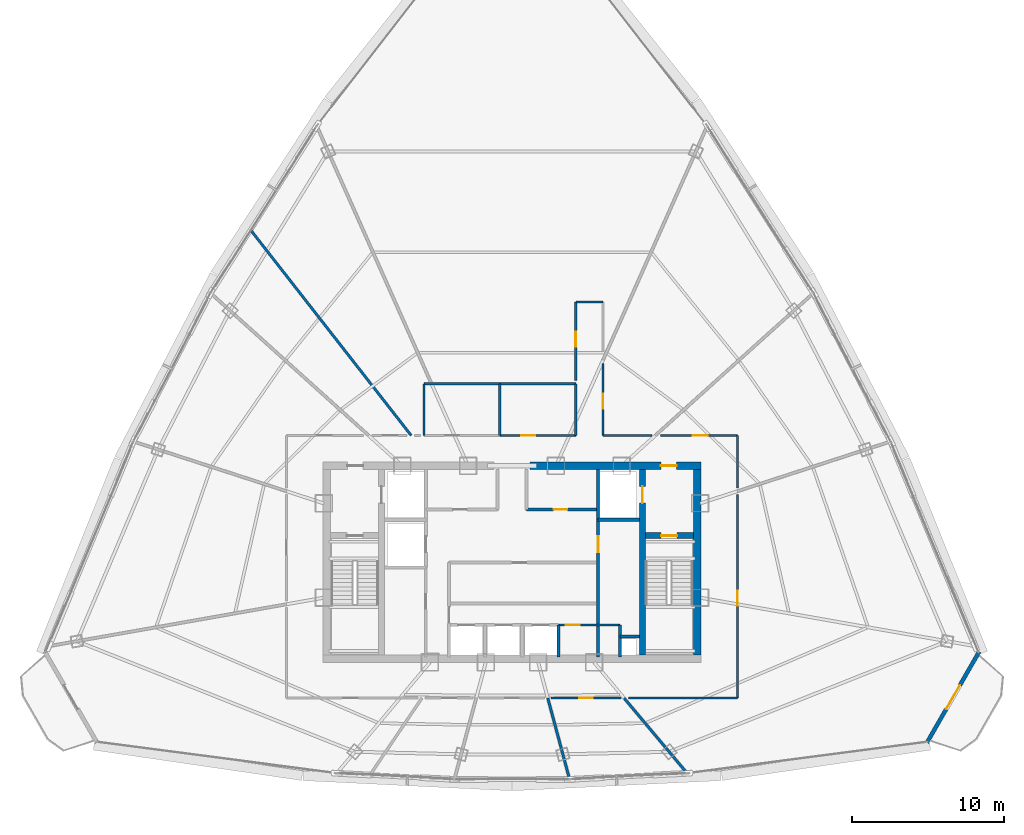
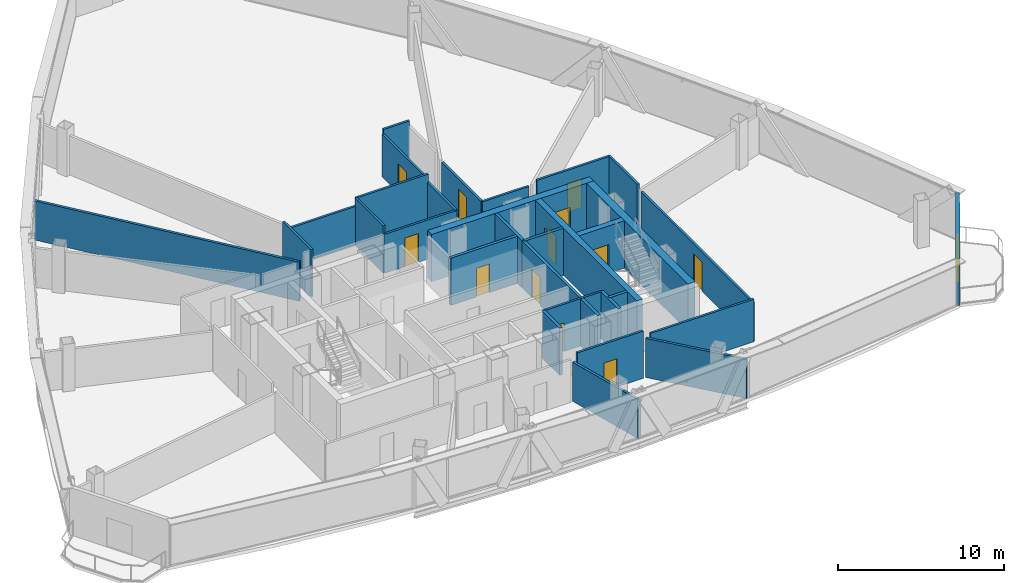
# One storey, part 31 of 35: 31 walls, 13 doors, 13 openings.
"""IFC4 building model written with IfcOpenShell, lengths in metres."""

from ifc_helpers import new_model, si_unit, direction, frame, frame_2d, origin, origin_with_axes, place, context, subcontext, project, spatial, rectangle, extrude, source, transform, mapped, material, layer, layer_set, type_object, element, fill, save


model = new_model("IFC4")

# Units and contexts
model_context = context("Model", 3, precision=1e-05, world=origin(), true_north=direction((0.0, 1.0)))
body_context = subcontext(model_context, "Body", "Model", "MODEL_VIEW")
ifc_project = project(units=[si_unit("LENGTHUNIT", "METRE"), si_unit("AREAUNIT", "SQUARE_METRE"), si_unit("VOLUMEUNIT", "CUBIC_METRE"), si_unit("PLANEANGLEUNIT", "RADIAN"), si_unit("MASSUNIT", "GRAM", prefix="KILO"), si_unit("THERMODYNAMICTEMPERATUREUNIT", "KELVIN"), si_unit("POWERUNIT", "WATT")], contexts=[model_context])

# Site, building, storey
site_placement = place(None, origin())
site = spatial("IfcSite", under=ifc_project, at=site_placement, CompositionType="ELEMENT")
building_placement = place(site_placement, origin())
building = spatial("IfcBuilding", under=site, at=building_placement, Name="Yunzhuo Pagoda Commons", CompositionType="ELEMENT")
storey_placement = place(building_placement, frame((0.0, 0.0, 299.93994140625)))
storey = spatial("IfcBuildingStorey", under=building, at=storey_placement, Name="L75", CompositionType="ELEMENT", Elevation=299.93994140625)

# Wall, opening, door
ifc_material_1 = material(Name="Precast concrete C40", Category="concrete")
ifc_layer_1 = layer(ifc_material_1, 0.260009765625)
ifc_layer_set_1 = layer_set([ifc_layer_1], Name="Precast concrete C40")
wall_type_1 = type_object("IfcWallType", Name="W-BAL1 Corner Balcony Threshold Wall 260", PredefinedType="STANDARD", material=ifc_layer_set_1)
wall_1_placement = place(storey_placement, frame((75.33935546875, 21.97021484375, 0.0), z_axis=(0.0, 0.0, 1.0), x_axis=(0.49793943781, 0.867211805889, 0.0)))
wall_1 = element("IfcWall", 1, at=wall_1_placement, inside=storey, type_object=wall_type_1, Name="L75 corner balcony wall V2", PredefinedType="STANDARD", context=body_context, shape_type="SweptSolid", body=[
    extrude(rectangle(XDim=6.903076171875, YDim=0.260009765625, at=frame_2d((3.45166015625, 0.0))), origin(), (0.0, 0.0, 1.0), 3.469970703125),
])
opening_1_placement = place(wall_1_placement, frame((2.551513671875, 0.0, 0.0)))
opening_1 = element("IfcOpeningElement", 2, at=opening_1_placement, cuts=wall_1, Name="Opening D-BAL1", PredefinedType="OPENING", context=body_context, shape_type="SweptSolid", body=[
    extrude(rectangle(XDim=1.800048828125, YDim=2.14990234375, at=frame_2d((0.89990234375, 1.074951171875))), frame((0.0, 0.14013671875, 0.0), z_axis=(0.0, -1.0, 0.0), x_axis=(1.0, 0.0, 0.0)), (0.0, 0.0, 1.0), 0.280029296875),
])
ifc_material_2 = material(Name="Anodized aluminium frame and tempered glazed leaf", Category="aluminium")
door_type_1 = type_object("IfcDoorType", Name="D-BAL1 Corner Balcony Sliding Glazed Door 1800x2150", OperationType="DOUBLE_DOOR_SLIDING", PredefinedType="DOOR", material=ifc_material_2)
shared_shape_1 = source(origin(), body_context, "Body", "SweptSolid", [
    extrude(rectangle(XDim=1.800048828125, YDim=2.14990234375, at=frame_2d((0.89990234375, 1.074951171875))), frame((0.0, 0.02490234375, 0.0), z_axis=(0.0, -1.0, 0.0), x_axis=(1.0, 0.0, 0.0)), (0.0, 0.0, 1.0), 0.050048828125),
])
door_1_placement = place(opening_1_placement, origin_with_axes())
door_1 = element("IfcDoor", 3, at=door_1_placement, inside=storey, type_object=door_type_1, Name="L75 corner balcony sliding door V2", OperationType="DOUBLE_DOOR_SLIDING", OverallHeight=2.14990234375, OverallWidth=1.800048828125, PredefinedType="DOOR", context=body_context, shape_type="MappedRepresentation", body=[
    mapped(shared_shape_1, transform((0.0, 0.0, 0.0), scale=1.0)),
])
fill(opening_1, door_1)

ifc_material_3 = material(Name="Concrete C50", Category="concrete")
ifc_layer_2 = layer(ifc_material_3, 0.5)
ifc_layer_set_2 = layer_set([ifc_layer_2], Name="Concrete C50")
wall_type_2 = type_object("IfcWallType", Name="W-C03 Upper Core Shear Wall 500", PredefinedType="SHEAR", material=ifc_layer_set_2)
wall_2_placement = place(storey_placement, frame((49.199951171875, 40.199951171875, 0.0), z_axis=(0.0, 0.0, 1.0), x_axis=(1.0, 0.0, 0.0)))
wall_2 = element("IfcWall", 4, at=wall_2_placement, inside=storey, type_object=wall_type_2, Name="L75 core shear wall NE", PredefinedType="SHEAR", context=body_context, shape_type="SweptSolid", body=[
    extrude(rectangle(XDim=11.25, YDim=0.5, at=frame_2d((5.625, 0.0))), origin(), (0.0, 0.0, 1.0), 3.469970703125),
])
opening_2_placement = place(wall_2_placement, frame((8.60009765625, 0.0, 0.0)))
opening_2 = element("IfcOpeningElement", 5, at=opening_2_placement, cuts=wall_2, Name="Opening D-02", PredefinedType="OPENING", context=body_context, shape_type="SweptSolid", body=[
    extrude(rectangle(XDim=1.050048828125, YDim=2.10009765625, at=frame_2d((0.52490234375, 1.050048828125))), frame((0.0, 0.260009765625, 0.0), z_axis=(0.0, -1.0, 0.0), x_axis=(1.0, 0.0, 0.0)), (0.0, 0.0, 1.0), 0.52001953125),
])
ifc_material_4 = material(Name="Galvanized fire-resisting metal leaf")
door_type_2 = type_object("IfcDoorType", Name="D-02 Firefighting Lobby & Refuge Fire Door 1050x2100", OperationType="NOTDEFINED", PredefinedType="DOOR", material=ifc_material_4)
shared_shape_2 = source(origin(), body_context, "Body", "SweptSolid", [
    extrude(rectangle(XDim=1.050048828125, YDim=2.10009765625, at=frame_2d((0.52490234375, 1.050048828125))), frame((0.0, 0.02490234375, 0.0), z_axis=(0.0, -1.0, 0.0), x_axis=(1.0, 0.0, 0.0)), (0.0, 0.0, 1.0), 0.050048828125),
])
door_2_placement = place(opening_2_placement, frame((1.050048828125, 0.0, 0.0), z_axis=(0.0, 0.0, 1.0), x_axis=(-1.0, 0.0, 0.0)))
door_2 = element("IfcDoor", 6, at=door_2_placement, inside=storey, type_object=door_type_2, Name="L75 Firefighting Lobby 2 fire door", OperationType="SINGLE_SWING_RIGHT", OverallHeight=2.10009765625, OverallWidth=1.050048828125, PredefinedType="DOOR", context=body_context, shape_type="MappedRepresentation", body=[
    mapped(shared_shape_2, transform((0.0, 0.0, 0.0), scale=1.0)),
])
fill(opening_2, door_2)

# Wall
wall_3_placement = place(storey_placement, frame((60.199951171875, 27.75, 0.0), z_axis=(0.0, 0.0, 1.0), x_axis=(0.0, 1.0, 0.0)))
element("IfcWall", 7, at=wall_3_placement, inside=storey, type_object=wall_type_2, Name="L75 core shear wall E", PredefinedType="SHEAR", context=body_context, shape_type="SweptSolid", body=[
    extrude(rectangle(XDim=12.199951171875, YDim=0.5, at=frame_2d((6.10009765625, 0.0))), origin(), (0.0, 0.0, 1.0), 3.469970703125),
])

# Wall, opening, door
ifc_material_5 = material(Name="Gypsum plasterboard on acoustic stud")
ifc_layer_3 = layer(ifc_material_5, 0.14990234375)
ifc_layer_set_3 = layer_set([ifc_layer_3], Name="Gypsum plasterboard on acoustic stud")
wall_type_3 = type_object("IfcWallType", Name="W-COR3 High-Zone Rated Corridor Wall 150", PredefinedType="PARTITIONING", material=ifc_layer_set_3)
wall_4_placement = place(storey_placement, frame((51.050048828125, 29.719970703125, 0.0), z_axis=(0.0, 0.0, 1.0), x_axis=(1.0, 0.0, 0.0)))
wall_4 = element("IfcWall", 8, at=wall_4_placement, inside=storey, type_object=wall_type_3, Name="L75 interior wall IW-L75-CSES", PredefinedType="PARTITIONING", context=body_context, shape_type="SweptSolid", body=[
    extrude(rectangle(XDim=4.070068359375, YDim=0.14990234375, at=frame_2d((2.03515625, 0.0))), origin(), (0.0, 0.0, 1.0), 3.469970703125),
])
opening_3_placement = place(wall_4_placement, frame((0.5, 0.0, 0.0)))
opening_3 = element("IfcOpeningElement", 9, at=opening_3_placement, cuts=wall_4, Name="Opening D-03", PredefinedType="OPENING", context=body_context, shape_type="SweptSolid", body=[
    extrude(rectangle(XDim=0.89990234375, YDim=2.10009765625, at=frame_2d((0.449951171875, 1.050048828125))), frame((0.0, 0.0849609375, 0.0), z_axis=(0.0, -1.0, 0.0), x_axis=(1.0, 0.0, 0.0)), (0.0, 0.0, 1.0), 0.169921875),
])
door_type_3 = type_object("IfcDoorType", Name="D-03 Core Service Fire Door 900x2100", OperationType="NOTDEFINED", PredefinedType="DOOR", material=ifc_material_4)
shared_shape_3 = source(origin(), body_context, "Body", "SweptSolid", [
    extrude(rectangle(XDim=0.89990234375, YDim=2.10009765625, at=frame_2d((0.449951171875, 1.050048828125))), frame((0.0, 0.02490234375, 0.0), z_axis=(0.0, -1.0, 0.0), x_axis=(1.0, 0.0, 0.0)), (0.0, 0.0, 1.0), 0.050048828125),
])
door_3_placement = place(opening_3_placement, origin_with_axes())
door_3 = element("IfcDoor", 10, at=door_3_placement, inside=storey, type_object=door_type_3, Name="L75 cleaner store door", OperationType="SINGLE_SWING_LEFT", OverallHeight=2.10009765625, OverallWidth=0.89990234375, PredefinedType="DOOR", context=body_context, shape_type="MappedRepresentation", body=[
    mapped(shared_shape_3, transform((0.0, 0.0, 0.0), scale=1.0)),
])
fill(opening_3, door_3)

# Walls
wall_5_placement = place(storey_placement, frame((42.199951171875, 45.60009765625, 0.0), z_axis=(0.0, 0.0, 1.0), x_axis=(1.0, 0.0, 0.0)))
element("IfcWall", 11, at=wall_5_placement, inside=storey, type_object=wall_type_3, Name="L75 interior wall IW-L75-TFWN", PredefinedType="PARTITIONING", context=body_context, shape_type="SweptSolid", body=[
    extrude(rectangle(XDim=5.0, YDim=0.14990234375, at=frame_2d((2.5, 0.0))), origin(), (0.0, 0.0, 1.0), 2.8701171875),
])
wall_6_placement = place(storey_placement, frame((42.199951171875, 42.199951171875, 0.0), z_axis=(0.0, 0.0, 1.0), x_axis=(0.0, 1.0, 0.0)))
element("IfcWall", 12, at=wall_6_placement, inside=storey, type_object=wall_type_3, Name="L75 interior wall IW-L75-TFWW", PredefinedType="PARTITIONING", context=body_context, shape_type="SweptSolid", body=[
    extrude(rectangle(XDim=3.400146484375, YDim=0.14990234375, at=frame_2d((1.7001953125, 0.0))), origin(), (0.0, 0.0, 1.0), 3.469970703125),
])

# Wall, opening, door
wall_7_placement = place(storey_placement, frame((47.199951171875, 42.199951171875, 0.0), z_axis=(0.0, 0.0, 1.0), x_axis=(1.0, 0.0, 0.0)))
wall_7 = element("IfcWall", 13, at=wall_7_placement, inside=storey, type_object=wall_type_3, Name="L75 interior wall IW-L75-TFES", PredefinedType="PARTITIONING", context=body_context, shape_type="SweptSolid", body=[
    extrude(rectangle(XDim=5.0, YDim=0.14990234375, at=frame_2d((2.5, 0.0))), origin(), (0.0, 0.0, 1.0), 2.8701171875),
])
opening_4_placement = place(wall_7_placement, frame((1.39990234375, 0.0, 0.0)))
opening_4 = element("IfcOpeningElement", 14, at=opening_4_placement, cuts=wall_7, Name="Opening D-11", PredefinedType="OPENING", context=body_context, shape_type="SweptSolid", body=[
    extrude(rectangle(XDim=0.93994140625, YDim=2.10009765625, at=frame_2d((0.469970703125, 1.050048828125))), frame((0.0, 0.0849609375, 0.0), z_axis=(0.0, -1.0, 0.0), x_axis=(1.0, 0.0, 0.0)), (0.0, 0.0, 1.0), 0.169921875),
])
door_type_4 = type_object("IfcDoorType", Name="D-11 Accessible Washroom Fire Door 940x2100", OperationType="NOTDEFINED", PredefinedType="DOOR", material=ifc_material_4)
shared_shape_4 = source(origin(), body_context, "Body", "SweptSolid", [
    extrude(rectangle(XDim=0.93994140625, YDim=2.10009765625, at=frame_2d((0.469970703125, 1.050048828125))), frame((0.0, 0.02490234375, 0.0), z_axis=(0.0, -1.0, 0.0), x_axis=(1.0, 0.0, 0.0)), (0.0, 0.0, 1.0), 0.050048828125),
])
door_4_placement = place(opening_4_placement, frame((0.93994140625, 0.0, 0.0), z_axis=(0.0, 0.0, 1.0), x_axis=(-1.0, 0.0, 0.0)))
door_4 = element("IfcDoor", 15, at=door_4_placement, inside=storey, type_object=door_type_4, Name="L75 accessible WC door", OperationType="SINGLE_SWING_RIGHT", OverallHeight=2.10009765625, OverallWidth=0.93994140625, PredefinedType="DOOR", context=body_context, shape_type="MappedRepresentation", body=[
    mapped(shared_shape_4, transform((0.0, 0.0, 0.0), scale=1.0)),
])
fill(opening_4, door_4)

# Walls
wall_8_placement = place(storey_placement, frame((47.199951171875, 45.60009765625, 0.0), z_axis=(0.0, 0.0, 1.0), x_axis=(1.0, 0.0, 0.0)))
element("IfcWall", 16, at=wall_8_placement, inside=storey, type_object=wall_type_3, Name="L75 interior wall IW-L75-TFEN", PredefinedType="PARTITIONING", context=body_context, shape_type="SweptSolid", body=[
    extrude(rectangle(XDim=5.0, YDim=0.14990234375, at=frame_2d((2.5, 0.0))), origin(), (0.0, 0.0, 1.0), 3.469970703125),
])
wall_9_placement = place(storey_placement, frame((47.199951171875, 42.199951171875, 0.0), z_axis=(0.0, 0.0, 1.0), x_axis=(0.0, 1.0, 0.0)))
element("IfcWall", 17, at=wall_9_placement, inside=storey, type_object=wall_type_3, Name="L75 interior wall IW-L75-TFEW", PredefinedType="PARTITIONING", context=body_context, shape_type="SweptSolid", body=[
    extrude(rectangle(XDim=3.400146484375, YDim=0.14990234375, at=frame_2d((1.7001953125, 0.0))), origin(), (0.0, 0.0, 1.0), 3.469970703125),
])
wall_10_placement = place(storey_placement, frame((52.199951171875, 42.199951171875, 0.0), z_axis=(0.0, 0.0, 1.0), x_axis=(0.0, 1.0, 0.0)))
element("IfcWall", 18, at=wall_10_placement, inside=storey, type_object=wall_type_3, Name="L75 interior wall IW-L75-TFEE", PredefinedType="PARTITIONING", context=body_context, shape_type="SweptSolid", body=[
    extrude(rectangle(XDim=3.400146484375, YDim=0.14990234375, at=frame_2d((1.7001953125, 0.0))), origin(), (0.0, 0.0, 1.0), 2.8701171875),
])

# Wall, opening, door
wall_11_placement = place(storey_placement, frame((52.199951171875, 45.820068359375, 0.0), z_axis=(0.0, 0.0, 1.0), x_axis=(0.0, 1.0, 0.0)))
wall_11 = element("IfcWall", 19, at=wall_11_placement, inside=storey, type_object=wall_type_3, Name="L75 interior wall IW-L75-CWL07", PredefinedType="PARTITIONING", context=body_context, shape_type="SweptSolid", body=[
    extrude(rectangle(XDim=5.179931640625, YDim=0.14990234375, at=frame_2d((2.58984375, 0.0))), origin(), (0.0, 0.0, 1.0), 3.1201171875),
])
opening_5_placement = place(wall_11_placement, frame((2.235107421875, 0.0, 0.0)))
opening_5 = element("IfcOpeningElement", 20, at=opening_5_placement, cuts=wall_11, Name="Opening D-08", PredefinedType="OPENING", context=body_context, shape_type="SweptSolid", body=[
    extrude(rectangle(XDim=0.97998046875, YDim=2.1201171875, at=frame_2d((0.489990234375, 1.06005859375))), frame((0.0, 0.0849609375, 0.0), z_axis=(0.0, -1.0, 0.0), x_axis=(1.0, 0.0, 0.0)), (0.0, 0.0, 1.0), 0.169921875),
])
door_type_5 = type_object("IfcDoorType", Name="D-08 High-Zone Suite Entrance Fire Door 980x2120", OperationType="NOTDEFINED", PredefinedType="DOOR", material=ifc_material_4)
shared_shape_5 = source(origin(), body_context, "Body", "SweptSolid", [
    extrude(rectangle(XDim=0.97998046875, YDim=2.1201171875, at=frame_2d((0.489990234375, 1.06005859375))), frame((0.0, 0.02490234375, 0.0), z_axis=(0.0, -1.0, 0.0), x_axis=(1.0, 0.0, 0.0)), (0.0, 0.0, 1.0), 0.050048828125),
])
door_5_placement = place(opening_5_placement, origin_with_axes())
door_5 = element("IfcDoor", 21, at=door_5_placement, inside=storey, type_object=door_type_5, Name="L75 unit 03 entrance door", OperationType="SINGLE_SWING_LEFT", OverallHeight=2.1201171875, OverallWidth=0.97998046875, PredefinedType="DOOR", context=body_context, shape_type="MappedRepresentation", body=[
    mapped(shared_shape_5, transform((0.0, 0.0, 0.0), scale=1.0)),
])
fill(opening_5, door_5)

# Wall
wall_12_placement = place(storey_placement, frame((52.199951171875, 51.0, 0.0), z_axis=(0.0, 0.0, 1.0), x_axis=(1.0, 0.0, 0.0)))
element("IfcWall", 22, at=wall_12_placement, inside=storey, type_object=wall_type_3, Name="L75 interior wall IW-L75-CWL08", PredefinedType="PARTITIONING", context=body_context, shape_type="SweptSolid", body=[
    extrude(rectangle(XDim=1.800048828125, YDim=0.14990234375, at=frame_2d((0.89990234375, 0.0))), origin(), (0.0, 0.0, 1.0), 3.469970703125),
])

# Wall, opening, door
wall_13_placement = place(storey_placement, frame((54.0, 46.956298828125, 0.0), z_axis=(0.0, 0.0, 1.0), x_axis=(0.0, -1.0, 0.0)))
wall_13 = element("IfcWall", 23, at=wall_13_placement, inside=storey, type_object=wall_type_3, Name="L75 interior wall IW-L75-CWL10", PredefinedType="PARTITIONING", context=body_context, shape_type="SweptSolid", body=[
    extrude(rectangle(XDim=4.75634765625, YDim=0.14990234375, at=frame_2d((2.378173828125, 0.0))), origin(), (0.0, 0.0, 1.0), 2.8701171875),
])
opening_6_placement = place(wall_13_placement, frame((2.023193359375, 0.0, 0.0)))
opening_6 = element("IfcOpeningElement", 24, at=opening_6_placement, cuts=wall_13, Name="Opening D-08", PredefinedType="OPENING", context=body_context, shape_type="SweptSolid", body=[
    extrude(rectangle(XDim=0.97998046875, YDim=2.1201171875, at=frame_2d((0.489990234375, 1.06005859375))), frame((0.0, 0.0849609375, 0.0), z_axis=(0.0, -1.0, 0.0), x_axis=(1.0, 0.0, 0.0)), (0.0, 0.0, 1.0), 0.169921875),
])
door_6_placement = place(opening_6_placement, origin_with_axes())
door_6 = element("IfcDoor", 25, at=door_6_placement, inside=storey, type_object=door_type_5, Name="L75 unit 02 entrance door", OperationType="SINGLE_SWING_RIGHT", OverallHeight=2.1201171875, OverallWidth=0.97998046875, PredefinedType="DOOR", context=body_context, shape_type="MappedRepresentation", body=[
    mapped(shared_shape_5, transform((0.0, 0.0, 0.0), scale=1.0)),
])
fill(opening_6, door_6)

# Wall
wall_14_placement = place(storey_placement, frame((54.0, 42.199951171875, 0.0), z_axis=(0.0, 0.0, 1.0), x_axis=(1.0, 0.0, 0.0)))
element("IfcWall", 26, at=wall_14_placement, inside=storey, type_object=wall_type_3, Name="L75 interior wall IW-L75-CWL11", PredefinedType="PARTITIONING", context=body_context, shape_type="SweptSolid", body=[
    extrude(rectangle(XDim=3.220458984375, YDim=0.14990234375, at=frame_2d((1.6103515625, 0.0))), origin(), (0.0, 0.0, 1.0), 2.8701171875),
])

# Wall, opening, door
wall_15_placement = place(storey_placement, frame((57.76904296875, 42.199951171875, 0.0), z_axis=(0.0, 0.0, 1.0), x_axis=(1.0, 0.0, 0.0)))
wall_15 = element("IfcWall", 27, at=wall_15_placement, inside=storey, type_object=wall_type_3, Name="L75 interior wall IW-L75-CWL12", PredefinedType="PARTITIONING", context=body_context, shape_type="SweptSolid", body=[
    extrude(rectangle(XDim=5.0810546875, YDim=0.14990234375, at=frame_2d((2.54052734375, 0.0))), origin(), (0.0, 0.0, 1.0), 3.1201171875),
])
opening_7_placement = place(wall_15_placement, frame((2.131103515625, 0.0, 0.0)))
opening_7 = element("IfcOpeningElement", 28, at=opening_7_placement, cuts=wall_15, Name="Opening D-08", PredefinedType="OPENING", context=body_context, shape_type="SweptSolid", body=[
    extrude(rectangle(XDim=0.97998046875, YDim=2.1201171875, at=frame_2d((0.489990234375, 1.06005859375))), frame((0.0, 0.0849609375, 0.0), z_axis=(0.0, -1.0, 0.0), x_axis=(1.0, 0.0, 0.0)), (0.0, 0.0, 1.0), 0.169921875),
])
door_7_placement = place(opening_7_placement, origin_with_axes())
door_7 = element("IfcDoor", 29, at=door_7_placement, inside=storey, type_object=door_type_5, Name="L75 unit 01 entrance door", OperationType="SINGLE_SWING_LEFT", OverallHeight=2.1201171875, OverallWidth=0.97998046875, PredefinedType="DOOR", context=body_context, shape_type="MappedRepresentation", body=[
    mapped(shared_shape_5, transform((0.0, 0.0, 0.0), scale=1.0)),
])
fill(opening_7, door_7)

# Wall
wall_16_placement = place(storey_placement, frame((62.85009765625, 42.199951171875, 0.0), z_axis=(0.0, 0.0, 1.0), x_axis=(0.0, -1.0, 0.0)))
element("IfcWall", 30, at=wall_16_placement, inside=storey, type_object=wall_type_3, Name="L75 interior wall IW-L75-CWL13", PredefinedType="PARTITIONING", context=body_context, shape_type="SweptSolid", body=[
    extrude(rectangle(XDim=3.443603515625, YDim=0.14990234375, at=frame_2d((1.7216796875, 0.0))), origin(), (0.0, 0.0, 1.0), 3.1201171875),
])

# Wall, opening, door
wall_17_placement = place(storey_placement, frame((62.85009765625, 38.305419921875, 0.0), z_axis=(0.0, 0.0, 1.0), x_axis=(0.0, -1.0, 0.0)))
wall_17 = element("IfcWall", 31, at=wall_17_placement, inside=storey, type_object=wall_type_3, Name="L75 interior wall IW-L75-CWL14", PredefinedType="PARTITIONING", context=body_context, shape_type="SweptSolid", body=[
    extrude(rectangle(XDim=13.405517578125, YDim=0.14990234375, at=frame_2d((6.70263671875, 0.0))), origin(), (0.0, 0.0, 1.0), 2.8701171875),
])
opening_8_placement = place(wall_17_placement, frame((6.347900390625, 0.0, 0.0)))
opening_8 = element("IfcOpeningElement", 32, at=opening_8_placement, cuts=wall_17, Name="Opening D-08", PredefinedType="OPENING", context=body_context, shape_type="SweptSolid", body=[
    extrude(rectangle(XDim=0.97998046875, YDim=2.1201171875, at=frame_2d((0.489990234375, 1.06005859375))), frame((0.0, 0.0849609375, 0.0), z_axis=(0.0, -1.0, 0.0), x_axis=(1.0, 0.0, 0.0)), (0.0, 0.0, 1.0), 0.169921875),
])
door_8_placement = place(opening_8_placement, origin_with_axes())
door_8 = element("IfcDoor", 33, at=door_8_placement, inside=storey, type_object=door_type_5, Name="L75 Resident Co-Living Commons Hall door", OperationType="SINGLE_SWING_RIGHT", OverallHeight=2.1201171875, OverallWidth=0.97998046875, PredefinedType="DOOR", context=body_context, shape_type="MappedRepresentation", body=[
    mapped(shared_shape_5, transform((0.0, 0.0, 0.0), scale=1.0)),
])
fill(opening_8, door_8)

# Wall
wall_18_placement = place(storey_placement, frame((62.85009765625, 24.89990234375, 0.0), z_axis=(0.0, 0.0, 1.0), x_axis=(-1.0, 0.0, 0.0)))
element("IfcWall", 34, at=wall_18_placement, inside=storey, type_object=wall_type_3, Name="L75 interior wall IW-L75-CWL15", PredefinedType="PARTITIONING", context=body_context, shape_type="SweptSolid", body=[
    extrude(rectangle(XDim=7.1787109375, YDim=0.14990234375, at=frame_2d((3.58935546875, 0.0))), origin(), (0.0, 0.0, 1.0), 3.1201171875),
])

# Wall, opening, door
wall_19_placement = place(storey_placement, frame((55.164306640625, 24.89990234375, 0.0), z_axis=(0.0, 0.0, 1.0), x_axis=(-1.0, 0.0, 0.0)))
wall_19 = element("IfcWall", 35, at=wall_19_placement, inside=storey, type_object=wall_type_3, Name="L75 interior wall IW-L75-CWL16", PredefinedType="PARTITIONING", context=body_context, shape_type="SweptSolid", body=[
    extrude(rectangle(XDim=4.57861328125, YDim=0.14990234375, at=frame_2d((2.289306640625, 0.0))), origin(), (0.0, 0.0, 1.0), 3.469970703125),
])
opening_9_placement = place(wall_19_placement, frame((1.833251953125, 0.0, 0.0)))
opening_9 = element("IfcOpeningElement", 36, at=opening_9_placement, cuts=wall_19, Name="Opening D-12", PredefinedType="OPENING", context=body_context, shape_type="SweptSolid", body=[
    extrude(rectangle(XDim=0.89990234375, YDim=2.080078125, at=frame_2d((0.449951171875, 1.0400390625))), frame((0.0, 0.0849609375, 0.0), z_axis=(0.0, -1.0, 0.0), x_axis=(1.0, 0.0, 0.0)), (0.0, 0.0, 1.0), 0.169921875),
])
ifc_material_6 = material(Name="Powder-coated aluminium and timber acoustic leaf", Category="wood")
door_type_6 = type_object("IfcDoorType", Name="D-12 Quiet Study Interior Door 900x2080", OperationType="NOTDEFINED", PredefinedType="DOOR", material=ifc_material_6)
shared_shape_6 = source(origin(), body_context, "Body", "SweptSolid", [
    extrude(rectangle(XDim=0.89990234375, YDim=2.080078125, at=frame_2d((0.449951171875, 1.0400390625))), frame((0.0, 0.02490234375, 0.0), z_axis=(0.0, -1.0, 0.0), x_axis=(1.0, 0.0, 0.0)), (0.0, 0.0, 1.0), 0.050048828125),
])
door_9_placement = place(opening_9_placement, origin_with_axes())
door_9 = element("IfcDoor", 37, at=door_9_placement, inside=storey, type_object=door_type_6, Name="L75 study lounge 11 door", OperationType="SINGLE_SWING_LEFT", OverallHeight=2.080078125, OverallWidth=0.89990234375, PredefinedType="DOOR", context=body_context, shape_type="MappedRepresentation", body=[
    mapped(shared_shape_6, transform((0.0, 0.0, 0.0), scale=1.0)),
])
fill(opening_9, door_9)

# Walls
ifc_layer_4 = layer(ifc_material_5, 0.169921875)
ifc_layer_set_4 = layer_set([ifc_layer_4], Name="Gypsum plasterboard on acoustic stud")
wall_type_4 = type_object("IfcWallType", Name="W-PRT4 High-Zone Demising Wall 170", PredefinedType="PARTITIONING", material=ifc_layer_set_4)
wall_20_placement = place(storey_placement, frame((41.359130859375, 42.199951171875, 0.0), z_axis=(0.0, 0.0, 1.0), x_axis=(-0.615656448173, 0.788014681223, 0.0)))
element("IfcWall", 38, at=wall_20_placement, inside=storey, type_object=wall_type_4, Name="L75 interior wall IW-L75-RAD05", PredefinedType="PARTITIONING", context=body_context, shape_type="SweptSolid", body=[
    extrude(rectangle(XDim=17.1845703125, YDim=0.169921875, at=frame_2d((8.59228515625, 0.0))), origin(), (0.0, 0.0, 1.0), 2.8701171875),
])
wall_21_placement = place(storey_placement, frame((50.35791015625, 24.89990234375, 0.0), z_axis=(0.0, 0.0, 1.0), x_axis=(0.258813875707, -0.96592721141, 0.0)))
element("IfcWall", 39, at=wall_21_placement, inside=storey, type_object=wall_type_4, Name="L75 interior wall IW-L75-RAD11", PredefinedType="PARTITIONING", context=body_context, shape_type="SweptSolid", body=[
    extrude(rectangle(XDim=5.54296875, YDim=0.169921875, at=frame_2d((2.771484375, 0.0))), origin(), (0.0, 0.0, 1.0), 2.8701171875),
])
wall_22_placement = place(storey_placement, frame((55.384033203125, 24.89990234375, 0.0), z_axis=(0.0, 0.0, 1.0), x_axis=(0.642794522615, -0.76603864243, 0.0)))
element("IfcWall", 40, at=wall_22_placement, inside=storey, type_object=wall_type_4, Name="L75 interior wall IW-L75-RAD12", PredefinedType="PARTITIONING", context=body_context, shape_type="SweptSolid", body=[
    extrude(rectangle(XDim=6.4677734375, YDim=0.169921875, at=frame_2d((3.23388671875, 0.0))), origin(), (0.0, 0.0, 1.0), 2.8701171875),
])

# Wall, opening, door
ifc_material_7 = material(Name="Concrete C60", Category="concrete")
ifc_layer_5 = layer(ifc_material_7, 0.39990234375)
ifc_layer_set_5 = layer_set([ifc_layer_5], Name="Concrete C60")
wall_type_5 = type_object("IfcWallType", Name="W-S01 Internal Core Shear Web 400", PredefinedType="SHEAR", material=ifc_layer_set_5)
wall_23_placement = place(storey_placement, frame((56.60009765625, 27.75, 0.0), z_axis=(0.0, 0.0, 1.0), x_axis=(0.0, 1.0, 0.0)))
wall_23 = element("IfcWall", 41, at=wall_23_placement, inside=storey, type_object=wall_type_5, Name="L75 core shear wall WEBE", PredefinedType="SHEAR", context=body_context, shape_type="SweptSolid", body=[
    extrude(rectangle(XDim=12.199951171875, YDim=0.39990234375, at=frame_2d((6.10009765625, 0.0))), origin(), (0.0, 0.0, 1.0), 3.469970703125),
])
opening_10_placement = place(wall_23_placement, frame((10.0, 0.0, 0.0)))
opening_10 = element("IfcOpeningElement", 42, at=opening_10_placement, cuts=wall_23, Name="Opening LD-01", PredefinedType="OPENING", context=body_context, shape_type="SweptSolid", body=[
    extrude(rectangle(XDim=1.10009765625, YDim=2.10009765625, at=frame_2d((0.550048828125, 1.050048828125))), frame((0.0, 0.2099609375, 0.0), z_axis=(0.0, -1.0, 0.0), x_axis=(1.0, 0.0, 0.0)), (0.0, 0.0, 1.0), 0.419921875),
])
door_type_7 = type_object("IfcDoorType", Name="LD-01 Firefighting Lift Landing Door 1100x2100", OperationType="DOUBLE_DOOR_SLIDING", PredefinedType="DOOR", material=ifc_material_4)
shared_shape_7 = source(origin(), body_context, "Body", "SweptSolid", [
    extrude(rectangle(XDim=1.10009765625, YDim=2.10009765625, at=frame_2d((0.550048828125, 1.050048828125))), frame((0.0, 0.02490234375, 0.0), z_axis=(0.0, -1.0, 0.0), x_axis=(1.0, 0.0, 0.0)), (0.0, 0.0, 1.0), 0.050048828125),
])
door_10_placement = place(opening_10_placement, origin_with_axes())
door_10 = element("IfcDoor", 43, at=door_10_placement, inside=storey, type_object=door_type_7, Name="L75 Firefighting lift FL-2 landing door", OperationType="DOUBLE_DOOR_SLIDING", OverallHeight=2.10009765625, OverallWidth=1.10009765625, PredefinedType="DOOR", context=body_context, shape_type="MappedRepresentation", body=[
    mapped(shared_shape_7, transform((0.0, 0.0, 0.0), scale=1.0)),
])
fill(opening_10, door_10)

wall_24_placement = place(storey_placement, frame((56.800048828125, 35.60009765625, 0.0), z_axis=(0.0, 0.0, 1.0), x_axis=(1.0, 0.0, 0.0)))
wall_24 = element("IfcWall", 44, at=wall_24_placement, inside=storey, type_object=wall_type_5, Name="L75 core shear wall STE", PredefinedType="SHEAR", context=body_context, shape_type="SweptSolid", body=[
    extrude(rectangle(XDim=3.14990234375, YDim=0.39990234375, at=frame_2d((1.574951171875, 0.0))), origin(), (0.0, 0.0, 1.0), 3.469970703125),
])
opening_11_placement = place(wall_24_placement, frame((1.02001953125, 0.0, 0.0)))
opening_11 = element("IfcOpeningElement", 45, at=opening_11_placement, cuts=wall_24, Name="Opening D-01", PredefinedType="OPENING", context=body_context, shape_type="SweptSolid", body=[
    extrude(rectangle(XDim=1.050048828125, YDim=2.10009765625, at=frame_2d((0.52490234375, 1.050048828125))), frame((0.0, 0.2099609375, 0.0), z_axis=(0.0, -1.0, 0.0), x_axis=(1.0, 0.0, 0.0)), (0.0, 0.0, 1.0), 0.419921875),
])
door_type_8 = type_object("IfcDoorType", Name="D-01 Smokeproof Stair Fire Door 1050x2100", OperationType="NOTDEFINED", PredefinedType="DOOR", material=ifc_material_4)
door_11_placement = place(opening_11_placement, frame((1.050048828125, 0.0, 0.0), z_axis=(0.0, 0.0, 1.0), x_axis=(-1.0, 0.0, 0.0)))
door_11 = element("IfcDoor", 46, at=door_11_placement, inside=storey, type_object=door_type_8, Name="L75 Stair ST2 fire door", OperationType="SINGLE_SWING_RIGHT", OverallHeight=2.10009765625, OverallWidth=1.050048828125, PredefinedType="DOOR", context=body_context, shape_type="MappedRepresentation", body=[
    mapped(shared_shape_2, transform((0.0, 0.0, 0.0), scale=1.0)),
])
fill(opening_11, door_11)

# Walls
ifc_material_8 = material(Name="Concrete C40", Category="concrete")
ifc_layer_6 = layer(ifc_material_8, 0.199951171875)
ifc_layer_set_6 = layer_set([ifc_layer_6], Name="Concrete C40")
wall_type_6 = type_object("IfcWallType", Name="W-SHF Shaft & Stair Enclosure Wall 200", PredefinedType="SOLIDWALL", material=ifc_layer_set_6)
wall_25_placement = place(storey_placement, frame((53.679931640625, 36.64990234375, 0.0), z_axis=(0.0, 0.0, 1.0), x_axis=(0.0, 1.0, 0.0)))
element("IfcWall", 47, at=wall_25_placement, inside=storey, type_object=wall_type_6, Name="L75 interior wall IW-L75-FL2W", PredefinedType="SOLIDWALL", context=body_context, shape_type="SweptSolid", body=[
    extrude(rectangle(XDim=3.300048828125, YDim=0.199951171875, at=frame_2d((1.64990234375, 0.0))), origin(), (0.0, 0.0, 1.0), 3.469970703125),
])
wall_26_placement = place(storey_placement, frame((53.679931640625, 36.64990234375, 0.0), z_axis=(0.0, 0.0, 1.0), x_axis=(1.0, 0.0, 0.0)))
element("IfcWall", 48, at=wall_26_placement, inside=storey, type_object=wall_type_6, Name="L75 interior wall IW-L75-FL2S", PredefinedType="SOLIDWALL", context=body_context, shape_type="SweptSolid", body=[
    extrude(rectangle(XDim=2.719970703125, YDim=0.199951171875, at=frame_2d((1.35986328125, 0.0))), origin(), (0.0, 0.0, 1.0), 3.469970703125),
])

# Wall, opening, door
wall_27_placement = place(storey_placement, frame((48.949951171875, 37.320068359375, 0.0), z_axis=(0.0, 0.0, 1.0), x_axis=(1.0, 0.0, 0.0)))
wall_27 = element("IfcWall", 49, at=wall_27_placement, inside=storey, type_object=wall_type_6, Name="L75 interior wall IW-L75-LBNE", PredefinedType="SOLIDWALL", context=body_context, shape_type="SweptSolid", body=[
    extrude(rectangle(XDim=4.72998046875, YDim=0.199951171875, at=frame_2d((2.364990234375, 0.0))), origin(), (0.0, 0.0, 1.0), 3.469970703125),
])
opening_12_placement = place(wall_27_placement, frame((1.800048828125, 0.0, 0.0)))
opening_12 = element("IfcOpeningElement", 50, at=opening_12_placement, cuts=wall_27, Name="Opening D-03", PredefinedType="OPENING", context=body_context, shape_type="SweptSolid", body=[
    extrude(rectangle(XDim=0.89990234375, YDim=2.10009765625, at=frame_2d((0.449951171875, 1.050048828125))), frame((0.0, 0.10986328125, 0.0), z_axis=(0.0, -1.0, 0.0), x_axis=(1.0, 0.0, 0.0)), (0.0, 0.0, 1.0), 0.219970703125),
])
door_12_placement = place(opening_12_placement, frame((0.89990234375, 0.0, 0.0), z_axis=(0.0, 0.0, 1.0), x_axis=(-1.0, 0.0, 0.0)))
door_12 = element("IfcDoor", 51, at=door_12_placement, inside=storey, type_object=door_type_3, Name="L75 core east store door", OperationType="SINGLE_SWING_RIGHT", OverallHeight=2.10009765625, OverallWidth=0.89990234375, PredefinedType="DOOR", context=body_context, shape_type="MappedRepresentation", body=[
    mapped(shared_shape_3, transform((0.0, 0.0, 0.0), scale=1.0)),
])
fill(opening_12, door_12)

wall_28_placement = place(storey_placement, frame((53.679931640625, 27.60009765625, 0.0), z_axis=(0.0, 0.0, 1.0), x_axis=(0.0, 1.0, 0.0)))
wall_28 = element("IfcWall", 52, at=wall_28_placement, inside=storey, type_object=wall_type_6, Name="L75 interior wall IW-L75-PLME", PredefinedType="SOLIDWALL", context=body_context, shape_type="SweptSolid", body=[
    extrude(rectangle(XDim=9.0498046875, YDim=0.199951171875, at=frame_2d((4.52490234375, 0.0))), origin(), (0.0, 0.0, 1.0), 3.469970703125),
])
opening_13_placement = place(wall_28_placement, frame((6.89990234375, 0.0, 0.0)))
opening_13 = element("IfcOpeningElement", 53, at=opening_13_placement, cuts=wall_28, Name="Opening D-02", PredefinedType="OPENING", context=body_context, shape_type="SweptSolid", body=[
    extrude(rectangle(XDim=1.050048828125, YDim=2.10009765625, at=frame_2d((0.52490234375, 1.050048828125))), frame((0.0, 0.10986328125, 0.0), z_axis=(0.0, -1.0, 0.0), x_axis=(1.0, 0.0, 0.0)), (0.0, 0.0, 1.0), 0.219970703125),
])
door_13_placement = place(opening_13_placement, origin_with_axes())
door_13 = element("IfcDoor", 54, at=door_13_placement, inside=storey, type_object=door_type_2, Name="L75 High-bank lift hall door", OperationType="SINGLE_SWING_RIGHT", OverallHeight=2.10009765625, OverallWidth=1.050048828125, PredefinedType="DOOR", context=body_context, shape_type="MappedRepresentation", body=[
    mapped(shared_shape_2, transform((0.0, 0.0, 0.0), scale=1.0)),
])
fill(opening_13, door_13)

# Walls
for number, where, z_axis, x_axis, name in (
    (55, (51.050048828125, 27.60009765625, 0.0), (0.0, 0.0, 1.0), (0.0, 1.0, 0.0), "L75 interior wall IW-L75-PLHE"),
    (56, (55.1201171875, 27.60009765625, 0.0), (0.0, 0.0, 1.0), (0.0, 1.0, 0.0), "L75 interior wall IW-L75-RSHFW"),
):
    element("IfcWall", number, at=place(storey_placement, frame(where, z_axis=z_axis, x_axis=x_axis)), inside=storey, type_object=wall_type_6, Name=name, PredefinedType="SOLIDWALL", context=body_context, shape_type="SweptSolid", body=[
        extrude(rectangle(XDim=2.119873046875, YDim=0.199951171875, at=frame_2d((1.06005859375, 0.0))), origin(), (0.0, 0.0, 1.0), 3.469970703125),
    ])
wall_29_placement = place(storey_placement, frame((55.1201171875, 28.949951171875, 0.0), z_axis=(0.0, 0.0, 1.0), x_axis=(1.0, 0.0, 0.0)))
element("IfcWall", 57, at=wall_29_placement, inside=storey, type_object=wall_type_6, Name="L75 interior wall IW-L75-RSHFN", PredefinedType="SOLIDWALL", context=body_context, shape_type="SweptSolid", body=[
    extrude(rectangle(XDim=1.27978515625, YDim=0.199951171875, at=frame_2d((0.639892578125, 0.0))), origin(), (0.0, 0.0, 1.0), 3.469970703125),
])

save(model, "model.ifc")
